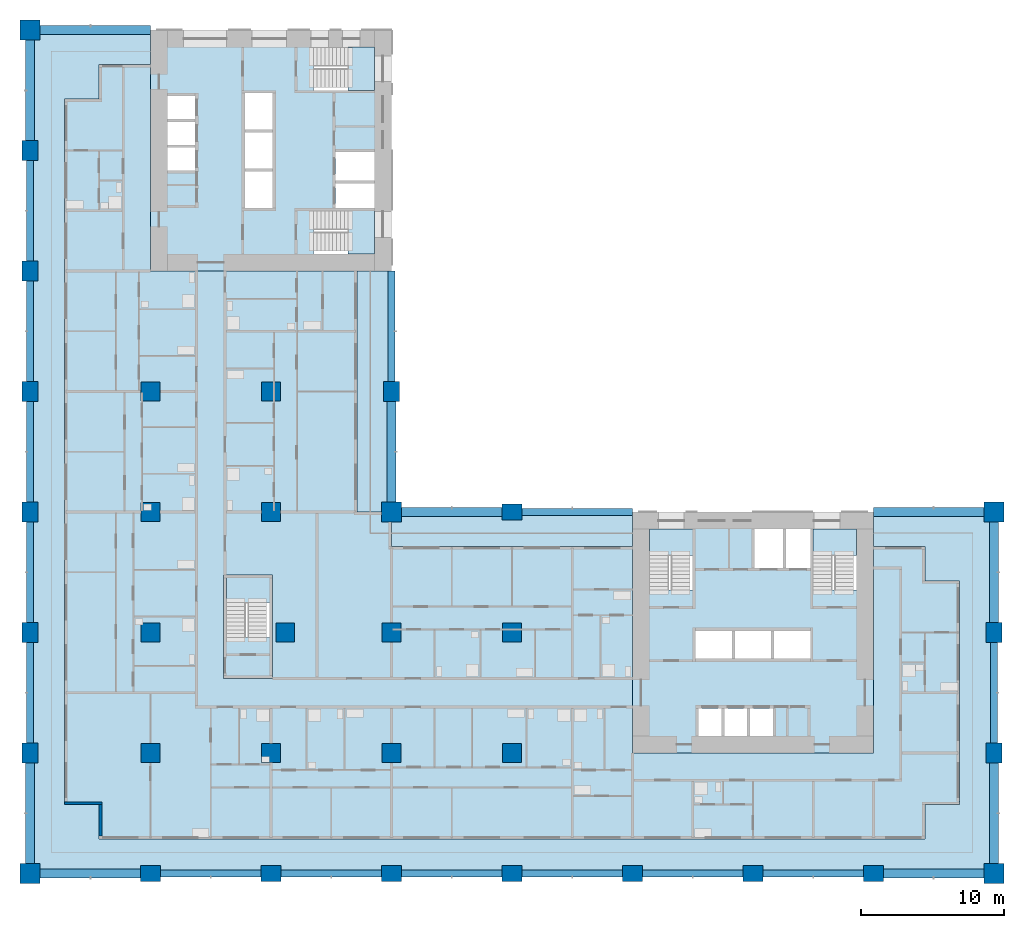
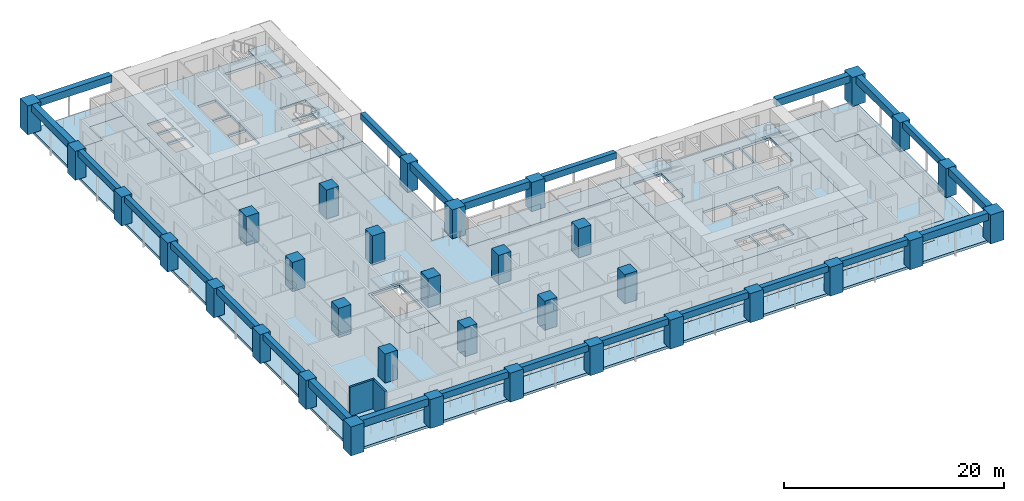
# One storey, part 1 of 19: 34 columns, 24 beams, 12 slabs, 2 walls, 5 elements without a shape of their own.
"""IFC4 building model written with IfcOpenShell, lengths in metres."""

from ifc_helpers import new_model, si_unit, direction, frame, frame_2d, origin, origin_2d, place, context, subcontext, project, spatial, polyline, rectangle, outline, extrude, material, layer, layer_set, material_profile, profile_set, type_object, element, aggregate, save


model = new_model("IFC4")

# Units and contexts
model_context = context("Model", 3, precision=1e-05, world=origin(), true_north=direction((0.0, 1.0)))
body_context = subcontext(model_context, "Body", "Model", "MODEL_VIEW")
ifc_project = project(units=[si_unit("LENGTHUNIT", "METRE"), si_unit("AREAUNIT", "SQUARE_METRE"), si_unit("VOLUMEUNIT", "CUBIC_METRE"), si_unit("PLANEANGLEUNIT", "RADIAN"), si_unit("MASSUNIT", "GRAM", prefix="KILO")], contexts=[model_context])

# Site, building, storey
site_placement = place(None, origin())
site = spatial("IfcSite", under=ifc_project, at=site_placement, CompositionType="ELEMENT")
building_placement = place(site_placement, origin())
building = spatial("IfcBuilding", under=site, at=building_placement, Name="Vermilion Gate Residences", CompositionType="ELEMENT")
storey_placement = place(building_placement, frame((0.0, 0.0, 46.199951171875)))
storey = spatial("IfcBuildingStorey", under=building, at=storey_placement, Name="L10", CompositionType="ELEMENT", Elevation=46.199951171875)

# Columns
ifc_material_1 = material(Name="Concrete C80", Category="concrete")
ifc_material_profile_1 = material_profile(ifc_material_1, rectangle(XDim=1.300048828125, YDim=1.300048828125, at=origin_2d()), Name="RC-1300x1300")
ifc_profile_set_1 = profile_set([ifc_material_profile_1], Name="Concrete C80")
column_type_1 = type_object("IfcColumnType", Name="RC COLUMN 1300 X 1300 C80", PredefinedType="COLUMN", material=ifc_profile_set_1)
for number, where, z_axis, x_axis, name in (
    (1, (8.39990234375, 8.39990234375, 0.0), (0.0, 0.0, 1.0), (1.0, 0.0, 0.0), "Column 2-B L10"),
    (2, (8.39990234375, 16.800048828125, 0.0), (0.0, 0.0, 1.0), (1.0, 0.0, 0.0), "Column 2-C L10"),
    (3, (8.39990234375, 25.199951171875, 0.0), (0.0, 0.0, 1.0), (1.0, 0.0, 0.0), "Column 2-D L10"),
    (4, (8.39990234375, 33.60009765625, 0.0), (0.0, 0.0, 1.0), (1.0, 0.0, 0.0), "Column 2-E L10"),
    (5, (16.800048828125, 8.39990234375, 0.0), (0.0, 0.0, 1.0), (1.0, 0.0, 0.0), "Column 3-B L10"),
    (6, (17.800048828125, 16.800048828125, 0.0), (0.0, 0.0, 1.0), (1.0, 0.0, 0.0), "Column 3-C L10"),
    (7, (16.800048828125, 25.199951171875, 0.0), (0.0, 0.0, 1.0), (1.0, 0.0, 0.0), "Column 3-D L10"),
    (8, (16.800048828125, 33.60009765625, 0.0), (0.0, 0.0, 1.0), (1.0, 0.0, 0.0), "Column 3-E L10"),
    (9, (25.199951171875, 8.39990234375, 0.0), (0.0, 0.0, 1.0), (1.0, 0.0, 0.0), "Column 4-B L10"),
    (10, (25.199951171875, 16.800048828125, 0.0), (0.0, 0.0, 1.0), (1.0, 0.0, 0.0), "Column 4-C L10"),
    (11, (33.60009765625, 8.39990234375, 0.0), (0.0, 0.0, 1.0), (1.0, 0.0, 0.0), "Column 5-B L10"),
    (12, (33.60009765625, 16.800048828125, 0.0), (0.0, 0.0, 1.0), (1.0, 0.0, 0.0), "Column 5-C L10"),
):
    element("IfcColumn", number, at=place(storey_placement, frame(where, z_axis=z_axis, x_axis=x_axis)), inside=storey, type_object=column_type_1, Name=name, PredefinedType="COLUMN", context=body_context, shape_type="SweptSolid", body=[
        extrude(rectangle(XDim=1.300048828125, YDim=1.300048828125, at=origin_2d()), origin(), (0.0, 0.0, 1.0), 3.219970703125),
    ])
ifc_material_2 = material(Name="Concrete C80", Category="concrete")
ifc_material_profile_2 = material_profile(ifc_material_2, rectangle(XDim=1.39990234375, YDim=1.10009765625, at=origin_2d()), Name="RC-1400x1100")
ifc_profile_set_2 = profile_set([ifc_material_profile_2], Name="Concrete C80")
column_type_2 = type_object("IfcColumnType", Name="RC COLUMN 1400 X 1100 C80", PredefinedType="COLUMN", material=ifc_profile_set_2)
for number, where, z_axis, x_axis, name in (
    (13, (0.0, 8.39990234375, 0.0), (0.0, 0.0, 1.0), (0.0, 1.0, 0.0), "Column 1-B L10"),
    (14, (0.0, 16.800048828125, 0.0), (0.0, 0.0, 1.0), (0.0, 1.0, 0.0), "Column 1-C L10"),
    (15, (0.0, 25.199951171875, 0.0), (0.0, 0.0, 1.0), (0.0, 1.0, 0.0), "Column 1-D L10"),
    (16, (0.0, 33.60009765625, 0.0), (0.0, 0.0, 1.0), (0.0, 1.0, 0.0), "Column 1-E L10"),
    (17, (0.0, 42.0, 0.0), (0.0, 0.0, 1.0), (0.0, 1.0, 0.0), "Column 1-F L10"),
    (18, (0.0, 50.39990234375, 0.0), (0.0, 0.0, 1.0), (0.0, 1.0, 0.0), "Column 1-G L10"),
    (19, (8.39990234375, 0.0, 0.0), (0.0, 0.0, 1.0), (1.0, 0.0, 0.0), "Column 2-A L10"),
    (20, (16.800048828125, 0.0, 0.0), (0.0, 0.0, 1.0), (1.0, 0.0, 0.0), "Column 3-A L10"),
    (21, (25.199951171875, 0.0, 0.0), (0.0, 0.0, 1.0), (1.0, 0.0, 0.0), "Column 4-A L10"),
    (22, (25.199951171875, 33.60009765625, 0.0), (0.0, 0.0, 1.0), (0.0, 1.0, 0.0), "Column 4-E L10"),
    (23, (33.60009765625, 0.0, 0.0), (0.0, 0.0, 1.0), (1.0, 0.0, 0.0), "Column 5-A L10"),
    (24, (33.60009765625, 25.199951171875, 0.0), (0.0, 0.0, 1.0), (1.0, 0.0, 0.0), "Column 5-D L10"),
    (25, (42.0, 0.0, 0.0), (0.0, 0.0, 1.0), (1.0, 0.0, 0.0), "Column 6-A L10"),
    (26, (50.39990234375, 0.0, 0.0), (0.0, 0.0, 1.0), (1.0, 0.0, 0.0), "Column 7-A L10"),
    (27, (58.800048828125, 0.0, 0.0), (0.0, 0.0, 1.0), (1.0, 0.0, 0.0), "Column 8-A L10"),
    (28, (67.199951171875, 8.39990234375, 0.0), (0.0, 0.0, 1.0), (0.0, 1.0, 0.0), "Column 9-B L10"),
    (29, (67.199951171875, 16.800048828125, 0.0), (0.0, 0.0, 1.0), (0.0, 1.0, 0.0), "Column 9-C L10"),
):
    element("IfcColumn", number, at=place(storey_placement, frame(where, z_axis=z_axis, x_axis=x_axis)), inside=storey, type_object=column_type_2, Name=name, PredefinedType="COLUMN", context=body_context, shape_type="SweptSolid", body=[
        extrude(rectangle(XDim=1.39990234375, YDim=1.10009765625, at=origin_2d()), origin(), (0.0, 0.0, 1.0), 3.219970703125),
    ])
ifc_material_3 = material(Name="Concrete C80", Category="concrete")
ifc_material_profile_3 = material_profile(ifc_material_3, rectangle(XDim=1.39990234375, YDim=1.39990234375, at=origin_2d()), Name="RC-1400x1400")
ifc_profile_set_3 = profile_set([ifc_material_profile_3], Name="Concrete C80")
column_type_3 = type_object("IfcColumnType", Name="RC COLUMN 1400 X 1400 C80", PredefinedType="COLUMN", material=ifc_profile_set_3)
for number, where, z_axis, x_axis, name in (
    (30, (0.0, 0.0, 0.0), (0.0, 0.0, 1.0), (1.0, 0.0, 0.0), "Column 1-A L10"),
    (31, (0.0, 58.800048828125, 0.0), (0.0, 0.0, 1.0), (1.0, 0.0, 0.0), "Column 1-H L10"),
    (32, (25.199951171875, 25.199951171875, 0.0), (0.0, 0.0, 1.0), (1.0, 0.0, 0.0), "Column 4-D L10"),
    (33, (67.199951171875, 0.0, 0.0), (0.0, 0.0, 1.0), (1.0, 0.0, 0.0), "Column 9-A L10"),
    (34, (67.199951171875, 25.199951171875, 0.0), (0.0, 0.0, 1.0), (1.0, 0.0, 0.0), "Column 9-D L10"),
):
    element("IfcColumn", number, at=place(storey_placement, frame(where, z_axis=z_axis, x_axis=x_axis)), inside=storey, type_object=column_type_3, Name=name, PredefinedType="COLUMN", context=body_context, shape_type="SweptSolid", body=[
        extrude(rectangle(XDim=1.39990234375, YDim=1.39990234375, at=origin_2d()), origin(), (0.0, 0.0, 1.0), 3.219970703125),
    ])

# Beams
ifc_material_4 = material(Name="Concrete C60 red-oxide pigmented", Category="concrete")
ifc_material_profile_4 = material_profile(ifc_material_4, rectangle(XDim=0.60009765625, YDim=0.800048828125, at=origin_2d()), Name="RC-600x800")
ifc_profile_set_4 = profile_set([ifc_material_profile_4], Name="Concrete C60 red-oxide pigmented")
beam_type_1 = type_object("IfcBeamType", Name="RC CORNER EDGE BEAM 600 X 800 C60", PredefinedType="BEAM", material=ifc_profile_set_4)
for number, where, z_axis, x_axis, name in (
    (35, (0.699951171875, 0.0, 2.820068359375), (1.0, 0.0, 0.0), (0.0, 1.0, 0.0), "Corner edge beam L10 1"),
    (36, (0.0, 0.699951171875, 2.820068359375), (0.0, 1.0, 0.0), (-1.0, 0.0, 0.0), "Corner edge beam L10 2"),
):
    element("IfcBeam", number, at=place(storey_placement, frame(where, z_axis=z_axis, x_axis=x_axis)), inside=storey, type_object=beam_type_1, Name=name, PredefinedType="BEAM", context=body_context, shape_type="SweptSolid", body=[
        extrude(rectangle(XDim=0.60009765625, YDim=0.800048828125, at=origin_2d()), origin(), (0.0, 0.0, 1.0), 7.0),
    ])
beam_1_placement = place(storey_placement, frame((0.699951171875, 58.800048828125, 2.820068359375), z_axis=(1.0, 0.0, 0.0), x_axis=(0.0, 1.0, 0.0)))
element("IfcBeam", 37, at=beam_1_placement, inside=storey, type_object=beam_type_1, Name="Corner edge beam L10 8", PredefinedType="BEAM", context=body_context, shape_type="SweptSolid", body=[
    extrude(rectangle(XDim=0.60009765625, YDim=0.800048828125, at=origin_2d()), origin(), (0.0, 0.0, 1.0), 7.699951171875),
])
for number, where, z_axis, x_axis, name in (
    (38, (0.0, 51.10009765625, 2.820068359375), (0.0, 1.0, 0.0), (-1.0, 0.0, 0.0), "Corner edge beam L10 9"),
    (39, (25.199951171875, 25.89990234375, 2.820068359375), (0.0, 1.0, 0.0), (-1.0, 0.0, 0.0), "Corner edge beam L10 12"),
    (40, (25.89990234375, 25.199951171875, 2.820068359375), (1.0, 0.0, 0.0), (0.0, 1.0, 0.0), "Corner edge beam L10 15"),
    (41, (59.5, 0.0, 2.820068359375), (1.0, 0.0, 0.0), (0.0, 1.0, 0.0), "Corner edge beam L10 20"),
    (42, (67.199951171875, 0.699951171875, 2.820068359375), (0.0, 1.0, 0.0), (-1.0, 0.0, 0.0), "Corner edge beam L10 21"),
    (43, (67.199951171875, 17.5, 2.820068359375), (0.0, 1.0, 0.0), (-1.0, 0.0, 0.0), "Corner edge beam L10 23"),
):
    element("IfcBeam", number, at=place(storey_placement, frame(where, z_axis=z_axis, x_axis=x_axis)), inside=storey, type_object=beam_type_1, Name=name, PredefinedType="BEAM", context=body_context, shape_type="SweptSolid", body=[
        extrude(rectangle(XDim=0.60009765625, YDim=0.800048828125, at=origin_2d()), origin(), (0.0, 0.0, 1.0), 7.0),
    ])
beam_2_placement = place(storey_placement, frame((58.800048828125, 25.199951171875, 2.820068359375), z_axis=(1.0, 0.0, 0.0), x_axis=(0.0, 1.0, 0.0)))
element("IfcBeam", 44, at=beam_2_placement, inside=storey, type_object=beam_type_1, Name="Corner edge beam L10 24", PredefinedType="BEAM", context=body_context, shape_type="SweptSolid", body=[
    extrude(rectangle(XDim=0.60009765625, YDim=0.800048828125, at=origin_2d()), origin(), (0.0, 0.0, 1.0), 7.699951171875),
])
ifc_material_5 = material(Name="Concrete C60 red-oxide pigmented", Category="concrete")
ifc_material_profile_5 = material_profile(ifc_material_5, rectangle(XDim=0.5, YDim=0.699951171875, at=origin_2d()), Name="RC-500x700")
ifc_profile_set_5 = profile_set([ifc_material_profile_5], Name="Concrete C60 red-oxide pigmented")
beam_type_2 = type_object("IfcBeamType", Name="RC EDGE BEAM 500 X 700 C60", PredefinedType="BEAM", material=ifc_profile_set_5)
for number, where, z_axis, x_axis, name in (
    (45, (0.0, 9.10009765625, 2.8701171875), (0.0, 1.0, 0.0), (-1.0, 0.0, 0.0), "Edge beam L10 3"),
    (46, (0.0, 17.5, 2.8701171875), (0.0, 1.0, 0.0), (-1.0, 0.0, 0.0), "Edge beam L10 4"),
    (47, (0.0, 25.89990234375, 2.8701171875), (0.0, 1.0, 0.0), (-1.0, 0.0, 0.0), "Edge beam L10 5"),
    (48, (0.0, 34.300048828125, 2.8701171875), (0.0, 1.0, 0.0), (-1.0, 0.0, 0.0), "Edge beam L10 6"),
    (49, (0.0, 42.699951171875, 2.8701171875), (0.0, 1.0, 0.0), (-1.0, 0.0, 0.0), "Edge beam L10 7"),
    (50, (9.10009765625, 0.0, 2.8701171875), (1.0, 0.0, 0.0), (0.0, 1.0, 0.0), "Edge beam L10 10"),
    (51, (17.5, 0.0, 2.8701171875), (1.0, 0.0, 0.0), (0.0, 1.0, 0.0), "Edge beam L10 11"),
):
    element("IfcBeam", number, at=place(storey_placement, frame(where, z_axis=z_axis, x_axis=x_axis)), inside=storey, type_object=beam_type_2, Name=name, PredefinedType="BEAM", context=body_context, shape_type="SweptSolid", body=[
        extrude(rectangle(XDim=0.5, YDim=0.699951171875, at=origin_2d()), origin(), (0.0, 0.0, 1.0), 7.0),
    ])
beam_3_placement = place(storey_placement, frame((25.199951171875, 34.300048828125, 2.8701171875), z_axis=(0.0, 1.0, 0.0), x_axis=(-1.0, 0.0, 0.0)))
element("IfcBeam", 52, at=beam_3_placement, inside=storey, type_object=beam_type_2, Name="Edge beam L10 13", PredefinedType="BEAM", context=body_context, shape_type="SweptSolid", body=[
    extrude(rectangle(XDim=0.5, YDim=0.699951171875, at=origin_2d()), origin(), (0.0, 0.0, 1.0), 7.699951171875),
])
for number, where, z_axis, x_axis, name in (
    (53, (25.89990234375, 0.0, 2.8701171875), (1.0, 0.0, 0.0), (0.0, 1.0, 0.0), "Edge beam L10 14"),
    (54, (34.300048828125, 0.0, 2.8701171875), (1.0, 0.0, 0.0), (0.0, 1.0, 0.0), "Edge beam L10 16"),
):
    element("IfcBeam", number, at=place(storey_placement, frame(where, z_axis=z_axis, x_axis=x_axis)), inside=storey, type_object=beam_type_2, Name=name, PredefinedType="BEAM", context=body_context, shape_type="SweptSolid", body=[
        extrude(rectangle(XDim=0.5, YDim=0.699951171875, at=origin_2d()), origin(), (0.0, 0.0, 1.0), 7.0),
    ])
beam_4_placement = place(storey_placement, frame((34.300048828125, 25.199951171875, 2.8701171875), z_axis=(1.0, 0.0, 0.0), x_axis=(0.0, 1.0, 0.0)))
element("IfcBeam", 55, at=beam_4_placement, inside=storey, type_object=beam_type_2, Name="Edge beam L10 17", PredefinedType="BEAM", context=body_context, shape_type="SweptSolid", body=[
    extrude(rectangle(XDim=0.5, YDim=0.699951171875, at=origin_2d()), origin(), (0.0, 0.0, 1.0), 7.699951171875),
])
for number, where, z_axis, x_axis, name in (
    (56, (42.699951171875, 0.0, 2.8701171875), (1.0, 0.0, 0.0), (0.0, 1.0, 0.0), "Edge beam L10 18"),
    (57, (51.10009765625, 0.0, 2.8701171875), (1.0, 0.0, 0.0), (0.0, 1.0, 0.0), "Edge beam L10 19"),
    (58, (67.199951171875, 9.10009765625, 2.8701171875), (0.0, 1.0, 0.0), (-1.0, 0.0, 0.0), "Edge beam L10 22"),
):
    element("IfcBeam", number, at=place(storey_placement, frame(where, z_axis=z_axis, x_axis=x_axis)), inside=storey, type_object=beam_type_2, Name=name, PredefinedType="BEAM", context=body_context, shape_type="SweptSolid", body=[
        extrude(rectangle(XDim=0.5, YDim=0.699951171875, at=origin_2d()), origin(), (0.0, 0.0, 1.0), 7.0),
    ])

# Slabs
ifc_material_6 = material(Name="Concrete C50", Category="concrete")
ifc_layer_1 = layer(ifc_material_6, 0.280029296875)
ifc_layer_set_1 = layer_set([ifc_layer_1], Name="RC CORE FLOOR SLAB 280 C50")
slab_type_1 = type_object("IfcSlabType", Name="RC CORE FLOOR SLAB 280 C50", PredefinedType="FLOOR", material=ifc_layer_set_1)
slab_1_placement = place(storey_placement, frame((0.0, 0.0, -0.280029296875)))
element("IfcSlab", 59, at=slab_1_placement, inside=storey, type_object=slab_type_1, Name="Core floor slab A10", PredefinedType="FLOOR", context=body_context, shape_type="SweptSolid", body=[
    extrude(outline(polyline([(42.0, 8.39990234375), (58.800048828125, 8.39990234375), (58.800048828125, 25.199951171875), (42.0, 25.199951171875), (42.0, 8.39990234375)]), holes=[polyline([(46.60009765625, 11.5), (48.199951171875, 11.5), (48.199951171875, 9.60009765625), (46.60009765625, 9.60009765625), (46.60009765625, 11.5)]), polyline([(48.39990234375, 11.5), (50.0, 11.5), (50.0, 9.60009765625), (48.39990234375, 9.60009765625), (48.39990234375, 11.5)]), polyline([(50.199951171875, 11.5), (51.800048828125, 11.5), (51.800048828125, 9.60009765625), (50.199951171875, 9.60009765625), (50.199951171875, 11.5)]), polyline([(48.933349609375, 16.89990234375), (48.933349609375, 15.0), (46.39990234375, 15.0), (46.39990234375, 16.89990234375), (48.933349609375, 16.89990234375)]), polyline([(51.666748046875, 16.89990234375), (51.666748046875, 15.0), (49.13330078125, 15.0), (49.13330078125, 16.89990234375), (51.666748046875, 16.89990234375)]), polyline([(51.86669921875, 16.89990234375), (54.39990234375, 16.89990234375), (54.39990234375, 15.0), (51.86669921875, 15.0), (51.86669921875, 16.89990234375)]), polyline([(43.199951171875, 24.0), (46.199951171875, 24.0), (46.199951171875, 19.75), (43.199951171875, 19.75), (43.199951171875, 24.0)]), polyline([(54.60009765625, 24.0), (57.60009765625, 24.0), (57.60009765625, 19.75), (54.60009765625, 19.75), (54.60009765625, 24.0)]), polyline([(52.5, 24.0), (52.5, 21.300048828125), (50.5, 21.300048828125), (50.5, 24.0), (52.5, 24.0)]), polyline([(54.39990234375, 24.0), (54.39990234375, 21.300048828125), (52.699951171875, 21.300048828125), (52.699951171875, 24.0), (54.39990234375, 24.0)])]), origin(), (0.0, 0.0, 1.0), 0.280029296875),
])
slab_2_placement = place(storey_placement, frame((0.0, 0.0, -0.280029296875)))
element("IfcSlab", 60, at=slab_2_placement, inside=storey, type_object=slab_type_1, Name="Core floor slab B10", PredefinedType="FLOOR", context=body_context, shape_type="SweptSolid", body=[
    extrude(outline(polyline([(8.39990234375, 42.0), (25.199951171875, 42.0), (25.199951171875, 58.800048828125), (8.39990234375, 58.800048828125), (8.39990234375, 42.0)]), holes=[polyline([(19.75, 46.199951171875), (24.0, 46.199951171875), (24.0, 43.199951171875), (19.75, 43.199951171875), (19.75, 46.199951171875)]), polyline([(21.300048828125, 48.10009765625), (24.0, 48.10009765625), (24.0, 46.39990234375), (21.300048828125, 46.39990234375), (21.300048828125, 48.10009765625)]), polyline([(15.0, 48.933349609375), (16.89990234375, 48.933349609375), (16.89990234375, 46.39990234375), (15.0, 46.39990234375), (15.0, 48.933349609375)]), polyline([(24.0, 50.300048828125), (24.0, 48.300048828125), (21.300048828125, 48.300048828125), (21.300048828125, 50.300048828125), (24.0, 50.300048828125)]), polyline([(11.5, 50.60009765625), (11.5, 49.0), (9.60009765625, 49.0), (9.60009765625, 50.60009765625), (11.5, 50.60009765625)]), polyline([(15.0, 51.666748046875), (16.89990234375, 51.666748046875), (16.89990234375, 49.13330078125), (15.0, 49.13330078125), (15.0, 51.666748046875)]), polyline([(9.60009765625, 52.39990234375), (11.5, 52.39990234375), (11.5, 50.800048828125), (9.60009765625, 50.800048828125), (9.60009765625, 52.39990234375)]), polyline([(15.0, 54.39990234375), (16.89990234375, 54.39990234375), (16.89990234375, 51.86669921875), (15.0, 51.86669921875), (15.0, 54.39990234375)]), polyline([(11.5, 54.199951171875), (11.5, 52.60009765625), (9.60009765625, 52.60009765625), (9.60009765625, 54.199951171875), (11.5, 54.199951171875)]), polyline([(24.0, 57.60009765625), (24.0, 54.60009765625), (19.75, 54.60009765625), (19.75, 57.60009765625), (24.0, 57.60009765625)])]), origin(), (0.0, 0.0, 1.0), 0.280029296875),
])
slab_3_placement = place(storey_placement, frame((0.0, 0.0, -0.280029296875)))
element("IfcSlab", 61, at=slab_3_placement, inside=storey, type_object=slab_type_1, Name="Apex stair floor slab 10", PredefinedType="FLOOR", context=body_context, shape_type="SweptSolid", body=[
    extrude(outline(polyline([(13.5, 13.60009765625), (16.89990234375, 13.60009765625), (16.89990234375, 20.800048828125), (13.5, 20.800048828125), (13.5, 13.60009765625)]), holes=[polyline([(16.699951171875, 20.60009765625), (16.699951171875, 16.449951171875), (13.699951171875, 16.449951171875), (13.699951171875, 20.60009765625), (16.699951171875, 20.60009765625)])]), origin(), (0.0, 0.0, 1.0), 0.280029296875),
])
ifc_material_7 = material(Name="Concrete C50", Category="concrete")
ifc_layer_2 = layer(ifc_material_7, 0.280029296875)
ifc_layer_set_2 = layer_set([ifc_layer_2], Name="RC FLAT PLATE 280 C50")
slab_type_2 = type_object("IfcSlabType", Name="RC FLAT PLATE 280 C50", PredefinedType="FLOOR", material=ifc_layer_set_2)
slab_4_placement = place(storey_placement, frame((0.0, 0.0, -0.280029296875)))
element("IfcSlab", 62, at=slab_4_placement, inside=storey, type_object=slab_type_2, Name="Floor slab L10", PredefinedType="FLOOR", context=body_context, shape_type="SweptSolid", body=[
    extrude(outline(polyline([(22.800048828125, 25.199951171875), (22.800048828125, 42.0), (8.39990234375, 42.0), (8.39990234375, 56.39990234375), (4.800048828125, 56.39990234375), (4.800048828125, 54.0), (2.39990234375, 54.0), (2.39990234375, 4.800048828125), (4.800048828125, 4.800048828125), (4.800048828125, 2.39990234375), (62.39990234375, 2.39990234375), (62.39990234375, 4.800048828125), (64.800048828125, 4.800048828125), (64.800048828125, 20.39990234375), (62.39990234375, 20.39990234375), (62.39990234375, 22.800048828125), (58.800048828125, 22.800048828125), (58.800048828125, 8.39990234375), (42.0, 8.39990234375), (42.0, 22.800048828125), (25.199951171875, 22.800048828125), (25.199951171875, 25.199951171875), (22.800048828125, 25.199951171875)]), holes=[polyline([(13.5, 13.60009765625), (13.5, 20.800048828125), (16.89990234375, 20.800048828125), (16.89990234375, 13.60009765625), (13.5, 13.60009765625)])]), origin(), (0.0, 0.0, 1.0), 0.280029296875),
])
ifc_material_8 = material(Name="Concrete C50 red-oxide pigmented", Category="concrete")
ifc_layer_3 = layer(ifc_material_8, 0.280029296875)
ifc_layer_set_3 = layer_set([ifc_layer_3], Name="RC LOGGIA SLAB 280 C50")
slab_type_3 = type_object("IfcSlabType", Name="RC LOGGIA SLAB 280 C50", PredefinedType="FLOOR", material=ifc_layer_set_3)
slab_5_placement = place(storey_placement, frame((0.0, 0.0, -0.280029296875)))
element("IfcSlab", 63, at=slab_5_placement, inside=storey, type_object=slab_type_3, Name="Loggia slab L10", PredefinedType="FLOOR", context=body_context, shape_type="SweptSolid", body=[
    extrude(outline(polyline([(0.0, 58.800048828125), (0.0, 0.0), (67.199951171875, 0.0), (67.199951171875, 25.199951171875), (58.800048828125, 25.199951171875), (58.800048828125, 22.800048828125), (62.39990234375, 22.800048828125), (62.39990234375, 20.39990234375), (64.800048828125, 20.39990234375), (64.800048828125, 4.800048828125), (62.39990234375, 4.800048828125), (62.39990234375, 2.39990234375), (4.800048828125, 2.39990234375), (4.800048828125, 4.800048828125), (2.39990234375, 4.800048828125), (2.39990234375, 54.0), (4.800048828125, 54.0), (4.800048828125, 56.39990234375), (8.39990234375, 56.39990234375), (8.39990234375, 58.800048828125), (0.0, 58.800048828125)])), origin(), (0.0, 0.0, 1.0), 0.280029296875),
])
slab_6_placement = place(storey_placement, frame((0.0, 0.0, -0.280029296875)))
element("IfcSlab", 64, at=slab_6_placement, inside=storey, type_object=slab_type_3, Name="Loggia slab L10", PredefinedType="FLOOR", context=body_context, shape_type="SweptSolid", body=[
    extrude(outline(polyline([(25.199951171875, 22.800048828125), (42.0, 22.800048828125), (42.0, 25.199951171875), (25.199951171875, 25.199951171875), (25.199951171875, 22.800048828125)])), origin(), (0.0, 0.0, 1.0), 0.280029296875),
])
slab_7_placement = place(storey_placement, frame((0.0, 0.0, -0.280029296875)))
element("IfcSlab", 65, at=slab_7_placement, inside=storey, type_object=slab_type_3, Name="Loggia slab L10", PredefinedType="FLOOR", context=body_context, shape_type="SweptSolid", body=[
    extrude(outline(polyline([(22.800048828125, 42.0), (22.800048828125, 25.199951171875), (25.199951171875, 25.199951171875), (25.199951171875, 42.0), (22.800048828125, 42.0)])), origin(), (0.0, 0.0, 1.0), 0.280029296875),
])

# Stair, slab
ifc_material_9 = material(Name="Concrete C50", Category="concrete")
stair_type = type_object("IfcStairType", Name="SPECIAL ESCAPE STAIR 1300", PredefinedType="HALF_TURN_STAIR", material=ifc_material_9)
stair_1_placement = place(storey_placement, origin())
stair_1 = element("IfcStair", 66, at=stair_1_placement, inside=storey, type_object=stair_type, Name="Special escape stair STA1-10", PredefinedType="HALF_TURN_STAIR")
ifc_material_10 = material(Name="Concrete C50", Category="concrete")
ifc_layer_4 = layer(ifc_material_10, 0.199951171875)
ifc_layer_set_4 = layer_set([ifc_layer_4], Name="STAIR LANDING 200 C50")
slab_type_4 = type_object("IfcSlabType", Name="STAIR LANDING 200 C50", PredefinedType="LANDING", material=ifc_layer_set_4)
slab_8_placement = place(storey_placement, frame((0.0, 0.0, 1.550048828125)))
slab_8 = element("IfcSlab", 67, at=slab_8_placement, type_object=slab_type_4, Name="STA1-10 landing 1", PredefinedType="LANDING", context=body_context, shape_type="SweptSolid", body=[
    extrude(outline(polyline([(46.219970703125, 22.179931640625), (46.219970703125, 24.02001953125), (43.179931640625, 24.02001953125), (43.179931640625, 22.179931640625), (46.219970703125, 22.179931640625)])), origin(), (0.0, 0.0, 1.0), 0.199951171875),
])
aggregate(stair_1, [slab_8])

stair_2_placement = place(storey_placement, origin())
stair_2 = element("IfcStair", 68, at=stair_2_placement, inside=storey, type_object=stair_type, Name="Special escape stair STA2-10", PredefinedType="HALF_TURN_STAIR")
slab_9_placement = place(storey_placement, frame((0.0, 0.0, 1.550048828125)))
slab_9 = element("IfcSlab", 69, at=slab_9_placement, type_object=slab_type_4, Name="STA2-10 landing 1", PredefinedType="LANDING", context=body_context, shape_type="SweptSolid", body=[
    extrude(outline(polyline([(57.6201171875, 22.179931640625), (57.6201171875, 24.02001953125), (54.580078125, 24.02001953125), (54.580078125, 22.179931640625), (57.6201171875, 22.179931640625)])), origin(), (0.0, 0.0, 1.0), 0.199951171875),
])
aggregate(stair_2, [slab_9])

stair_3_placement = place(storey_placement, origin())
stair_3 = element("IfcStair", 70, at=stair_3_placement, inside=storey, type_object=stair_type, Name="Special escape stair STB1-10", PredefinedType="HALF_TURN_STAIR")
slab_10_placement = place(storey_placement, frame((0.0, 0.0, 1.550048828125)))
slab_10 = element("IfcSlab", 71, at=slab_10_placement, type_object=slab_type_4, Name="STB1-10 landing 1", PredefinedType="LANDING", context=body_context, shape_type="SweptSolid", body=[
    extrude(outline(polyline([(24.02001953125, 54.580078125), (24.02001953125, 57.6201171875), (22.179931640625, 57.6201171875), (22.179931640625, 54.580078125), (24.02001953125, 54.580078125)])), origin(), (0.0, 0.0, 1.0), 0.199951171875),
])
aggregate(stair_3, [slab_10])

stair_4_placement = place(storey_placement, origin())
stair_4 = element("IfcStair", 72, at=stair_4_placement, inside=storey, type_object=stair_type, Name="Special escape stair STB2-10", PredefinedType="HALF_TURN_STAIR")
slab_11_placement = place(storey_placement, frame((0.0, 0.0, 1.550048828125)))
slab_11 = element("IfcSlab", 73, at=slab_11_placement, type_object=slab_type_4, Name="STB2-10 landing 1", PredefinedType="LANDING", context=body_context, shape_type="SweptSolid", body=[
    extrude(outline(polyline([(24.02001953125, 43.179931640625), (24.02001953125, 46.219970703125), (22.179931640625, 46.219970703125), (22.179931640625, 43.179931640625), (24.02001953125, 43.179931640625)])), origin(), (0.0, 0.0, 1.0), 0.199951171875),
])
aggregate(stair_4, [slab_11])

stair_5_placement = place(storey_placement, origin())
stair_5 = element("IfcStair", 74, at=stair_5_placement, inside=storey, type_object=stair_type, Name="Special escape stair STC1-10", PredefinedType="HALF_TURN_STAIR")
slab_12_placement = place(storey_placement, frame((0.0, 0.0, 1.550048828125)))
slab_12 = element("IfcSlab", 75, at=slab_12_placement, type_object=slab_type_4, Name="STC1-10 landing 1", PredefinedType="LANDING", context=body_context, shape_type="SweptSolid", body=[
    extrude(outline(polyline([(16.719970703125, 18.8798828125), (16.719970703125, 20.6201171875), (13.679931640625, 20.6201171875), (13.679931640625, 18.8798828125), (16.719970703125, 18.8798828125)])), origin(), (0.0, 0.0, 1.0), 0.199951171875),
])
aggregate(stair_5, [slab_12])

# Walls
ifc_material_11 = material(Name="Insulated steel stud wall with terracotta rainscreen", Category="masonry")
ifc_layer_5 = layer(ifc_material_11, 0.199951171875)
ifc_layer_set_5 = layer_set([ifc_layer_5], Name="EXTERNAL WALL 200 TERRACOTTA RAINSCREEN")
wall_type = type_object("IfcWallType", Name="EXTERNAL WALL 200 TERRACOTTA RAINSCREEN", PredefinedType="SOLIDWALL", material=ifc_layer_set_5)
wall_1_placement = place(storey_placement, frame((2.39990234375, 4.89990234375, 0.0), z_axis=(0.0, 0.0, 1.0), x_axis=(1.0, 0.0, 0.0)))
element("IfcWall", 76, at=wall_1_placement, inside=storey, type_object=wall_type, Name="External wall", PredefinedType="SOLIDWALL", context=body_context, shape_type="SweptSolid", body=[
    extrude(rectangle(XDim=2.60009765625, YDim=0.199951171875, at=frame_2d((1.300048828125, 0.0))), origin(), (0.0, 0.0, 1.0), 3.219970703125),
])
wall_2_placement = place(storey_placement, frame((4.89990234375, 4.800048828125, 0.0), z_axis=(0.0, 0.0, 1.0), x_axis=(0.0, -1.0, 0.0)))
element("IfcWall", 77, at=wall_2_placement, inside=storey, type_object=wall_type, Name="External wall", PredefinedType="SOLIDWALL", context=body_context, shape_type="SweptSolid", body=[
    extrude(rectangle(XDim=2.199951171875, YDim=0.199951171875, at=frame_2d((1.10009765625, 0.0))), origin(), (0.0, 0.0, 1.0), 3.219970703125),
])

save(model, "model.ifc")
